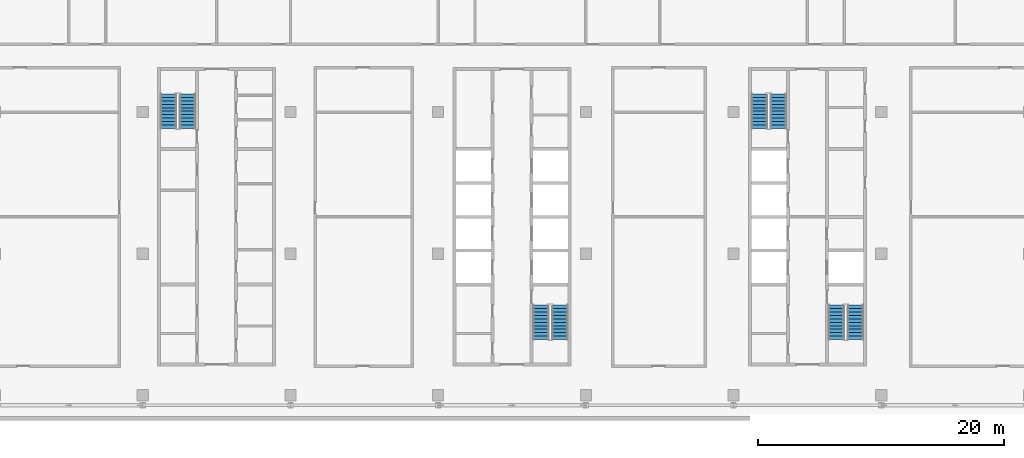
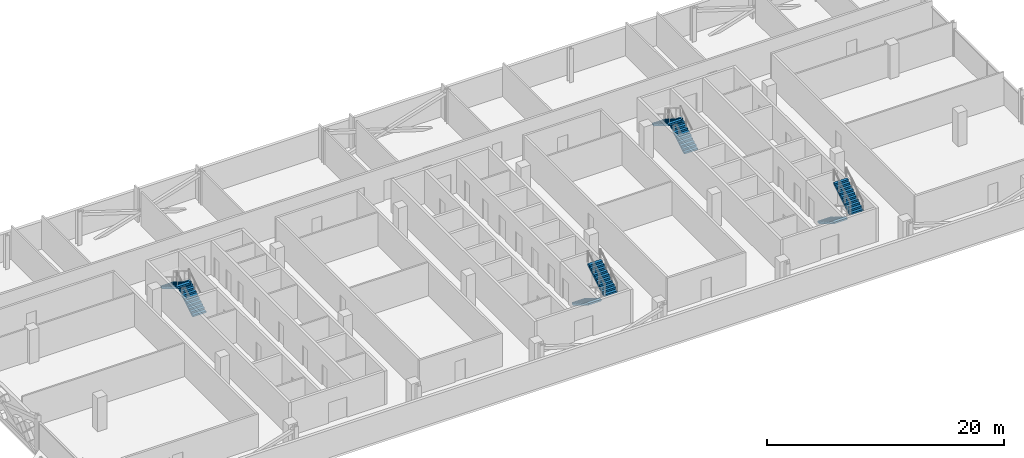
# One storey, part 19 of 28: 8 stair flights, 4 elements without a shape of their own.
"""IFC4 building model written with IfcOpenShell, lengths in metres."""

from ifc_helpers import new_model, si_unit, direction, frame, origin, place, context, subcontext, project, spatial, polyline, outline, extrude, material, type_object, element, aggregate, save


model = new_model("IFC4")

# Units and contexts
model_context = context("Model", 3, precision=1e-05, world=origin(), true_north=direction((0.0, 1.0)))
body_context = subcontext(model_context, "Body", "Model", "MODEL_VIEW")
ifc_project = project(units=[si_unit("LENGTHUNIT", "METRE"), si_unit("AREAUNIT", "SQUARE_METRE"), si_unit("VOLUMEUNIT", "CUBIC_METRE"), si_unit("PLANEANGLEUNIT", "RADIAN"), si_unit("MASSUNIT", "GRAM", prefix="KILO")], contexts=[model_context])

# Site, building, storey
site_placement = place(None, origin())
site = spatial("IfcSite", under=ifc_project, at=site_placement, CompositionType="ELEMENT")
building_placement = place(site_placement, origin())
building = spatial("IfcBuilding", under=site, at=building_placement, Name="Mahtab Terrace Research Tower", CompositionType="ELEMENT")
storey_placement = place(building_placement, frame((0.0, 0.0, 270.89990234375)))
storey = spatial("IfcBuildingStorey", under=building, at=storey_placement, Name="L66", CompositionType="ELEMENT", Elevation=270.89990234375)

# Stair, stair flights
ifc_material_1 = material(Name="Exit stair half-turn")
stair_type = type_object("IfcStairType", Name="Exit stair half-turn", PredefinedType="HALF_TURN_STAIR", material=ifc_material_1)
stair_1_placement = place(storey_placement, origin())
stair_1 = element("IfcStair", 1, at=stair_1_placement, inside=storey, type_object=stair_type, Name="L66 Protected exit stair ST1", PredefinedType="HALF_TURN_STAIR")
ifc_material_2 = material(Name="Concrete C40/50", Category="concrete")
stair_flight_type = type_object("IfcStairFlightType", Name="Exit stair flight 1300", PredefinedType="STRAIGHT", material=ifc_material_2)
stair_flight_1_placement = place(storey_placement, frame((-26.35009765625, 10.175048828125, 0.0), z_axis=(0.0, 0.0, 1.0), x_axis=(0.0, 1.0, 0.0)))
stair_flight_1 = element("IfcStairFlight", 2, at=stair_flight_1_placement, type_object=stair_flight_type, Name="ST1 flight 1", NumberOfRisers=11, NumberOfTreads=10, PredefinedType="STRAIGHT", RiserHeight=0.172727273, TreadLength=0.28, context=body_context, shape_type="SweptSolid", body=[
    extrude(outline(polyline([(0.0, 0.0), (0.0, 0.172607421875), (0.280029296875, 0.172607421875), (0.280029296875, 0.345458984375), (0.56005859375, 0.345458984375), (0.56005859375, 0.51806640625), (0.840087890625, 0.51806640625), (0.840087890625, 0.69091796875), (1.1201171875, 0.69091796875), (1.1201171875, 0.863525390625), (1.39990234375, 0.863525390625), (1.39990234375, 1.036376953125), (1.679931640625, 1.036376953125), (1.679931640625, 1.208984375), (1.9599609375, 1.208984375), (1.9599609375, 1.3818359375), (2.239990234375, 1.3818359375), (2.239990234375, 1.554443359375), (2.52001953125, 1.554443359375), (2.52001953125, 1.727294921875), (2.800048828125, 1.727294921875), (2.800048828125, 1.89990234375), (2.800048828125, 1.551025390625), (0.285400390625, 0.0), (0.0, 0.0)])), frame((0.0, 0.64990234375, 0.0), z_axis=(0.0, -1.0, 0.0), x_axis=(1.0, 0.0, 0.0)), (0.0, 0.0, 1.0), 1.300048828125),
])
stair_flight_2_placement = place(storey_placement, frame((-27.89990234375, 12.97509765625, 1.900146484375), z_axis=(0.0, 0.0, 1.0), x_axis=(0.0, -1.0, 0.0)))
stair_flight_2 = element("IfcStairFlight", 3, at=stair_flight_2_placement, type_object=stair_flight_type, Name="ST1 flight 2", NumberOfRisers=11, NumberOfTreads=10, PredefinedType="STRAIGHT", RiserHeight=0.172727273, TreadLength=0.28, context=body_context, shape_type="SweptSolid", body=[
    extrude(outline(polyline([(0.0, 0.0), (0.0, 0.172607421875), (0.280029296875, 0.172607421875), (0.280029296875, 0.345458984375), (0.56005859375, 0.345458984375), (0.56005859375, 0.51806640625), (0.840087890625, 0.51806640625), (0.840087890625, 0.69091796875), (1.1201171875, 0.69091796875), (1.1201171875, 0.863525390625), (1.39990234375, 0.863525390625), (1.39990234375, 1.036376953125), (1.679931640625, 1.036376953125), (1.679931640625, 1.208984375), (1.9599609375, 1.208984375), (1.9599609375, 1.3818359375), (2.239990234375, 1.3818359375), (2.239990234375, 1.554443359375), (2.52001953125, 1.554443359375), (2.52001953125, 1.727294921875), (2.800048828125, 1.727294921875), (2.800048828125, 1.89990234375), (2.800048828125, 1.551025390625), (0.285400390625, 0.0), (0.0, 0.0)])), frame((0.0, 0.64990234375, 0.0), z_axis=(0.0, -1.0, 0.0), x_axis=(1.0, 0.0, 0.0)), (0.0, 0.0, 1.0), 1.300048828125),
])
aggregate(stair_1, [stair_flight_1, stair_flight_2])

stair_2_placement = place(storey_placement, origin())
stair_2 = element("IfcStair", 4, at=stair_2_placement, inside=storey, type_object=stair_type, Name="L66 Protected exit stair ST2", PredefinedType="HALF_TURN_STAIR")
stair_flight_3_placement = place(storey_placement, frame((2.35009765625, -4.175048828125, 0.0), z_axis=(0.0, 0.0, 1.0), x_axis=(0.0, -1.0, 0.0)))
stair_flight_3 = element("IfcStairFlight", 5, at=stair_flight_3_placement, type_object=stair_flight_type, Name="ST2 flight 1", NumberOfRisers=11, NumberOfTreads=10, PredefinedType="STRAIGHT", RiserHeight=0.172727273, TreadLength=0.28, context=body_context, shape_type="SweptSolid", body=[
    extrude(outline(polyline([(0.0, 0.0), (0.0, 0.172607421875), (0.280029296875, 0.172607421875), (0.280029296875, 0.345458984375), (0.56005859375, 0.345458984375), (0.56005859375, 0.51806640625), (0.840087890625, 0.51806640625), (0.840087890625, 0.69091796875), (1.1201171875, 0.69091796875), (1.1201171875, 0.863525390625), (1.39990234375, 0.863525390625), (1.39990234375, 1.036376953125), (1.679931640625, 1.036376953125), (1.679931640625, 1.208984375), (1.9599609375, 1.208984375), (1.9599609375, 1.3818359375), (2.239990234375, 1.3818359375), (2.239990234375, 1.554443359375), (2.52001953125, 1.554443359375), (2.52001953125, 1.727294921875), (2.800048828125, 1.727294921875), (2.800048828125, 1.89990234375), (2.800048828125, 1.551025390625), (0.285400390625, 0.0), (0.0, 0.0)])), frame((0.0, 0.64990234375, 0.0), z_axis=(0.0, -1.0, 0.0), x_axis=(1.0, 0.0, 0.0)), (0.0, 0.0, 1.0), 1.300048828125),
])
stair_flight_4_placement = place(storey_placement, frame((3.89990234375, -6.97509765625, 1.900146484375), z_axis=(0.0, 0.0, 1.0), x_axis=(0.0, 1.0, 0.0)))
stair_flight_4 = element("IfcStairFlight", 6, at=stair_flight_4_placement, type_object=stair_flight_type, Name="ST2 flight 2", NumberOfRisers=11, NumberOfTreads=10, PredefinedType="STRAIGHT", RiserHeight=0.172727273, TreadLength=0.28, context=body_context, shape_type="SweptSolid", body=[
    extrude(outline(polyline([(0.0, 0.0), (0.0, 0.172607421875), (0.280029296875, 0.172607421875), (0.280029296875, 0.345458984375), (0.56005859375, 0.345458984375), (0.56005859375, 0.51806640625), (0.840087890625, 0.51806640625), (0.840087890625, 0.69091796875), (1.1201171875, 0.69091796875), (1.1201171875, 0.863525390625), (1.39990234375, 0.863525390625), (1.39990234375, 1.036376953125), (1.679931640625, 1.036376953125), (1.679931640625, 1.208984375), (1.9599609375, 1.208984375), (1.9599609375, 1.3818359375), (2.239990234375, 1.3818359375), (2.239990234375, 1.554443359375), (2.52001953125, 1.554443359375), (2.52001953125, 1.727294921875), (2.800048828125, 1.727294921875), (2.800048828125, 1.89990234375), (2.800048828125, 1.551025390625), (0.285400390625, 0.0), (0.0, 0.0)])), frame((0.0, 0.64990234375, 0.0), z_axis=(0.0, -1.0, 0.0), x_axis=(1.0, 0.0, 0.0)), (0.0, 0.0, 1.0), 1.300048828125),
])
aggregate(stair_2, [stair_flight_3, stair_flight_4])

stair_3_placement = place(storey_placement, origin())
stair_3 = element("IfcStair", 7, at=stair_3_placement, inside=storey, type_object=stair_type, Name="L66 Protected exit stair ST3", PredefinedType="HALF_TURN_STAIR")
stair_flight_5_placement = place(storey_placement, frame((21.64990234375, 10.175048828125, 0.0), z_axis=(0.0, 0.0, 1.0), x_axis=(0.0, 1.0, 0.0)))
stair_flight_5 = element("IfcStairFlight", 8, at=stair_flight_5_placement, type_object=stair_flight_type, Name="ST3 flight 1", NumberOfRisers=11, NumberOfTreads=10, PredefinedType="STRAIGHT", RiserHeight=0.172727273, TreadLength=0.28, context=body_context, shape_type="SweptSolid", body=[
    extrude(outline(polyline([(0.0, 0.0), (0.0, 0.172607421875), (0.280029296875, 0.172607421875), (0.280029296875, 0.345458984375), (0.56005859375, 0.345458984375), (0.56005859375, 0.51806640625), (0.840087890625, 0.51806640625), (0.840087890625, 0.69091796875), (1.1201171875, 0.69091796875), (1.1201171875, 0.863525390625), (1.39990234375, 0.863525390625), (1.39990234375, 1.036376953125), (1.679931640625, 1.036376953125), (1.679931640625, 1.208984375), (1.9599609375, 1.208984375), (1.9599609375, 1.3818359375), (2.239990234375, 1.3818359375), (2.239990234375, 1.554443359375), (2.52001953125, 1.554443359375), (2.52001953125, 1.727294921875), (2.800048828125, 1.727294921875), (2.800048828125, 1.89990234375), (2.800048828125, 1.551025390625), (0.285400390625, 0.0), (0.0, 0.0)])), frame((0.0, 0.64990234375, 0.0), z_axis=(0.0, -1.0, 0.0), x_axis=(1.0, 0.0, 0.0)), (0.0, 0.0, 1.0), 1.300048828125),
])
stair_flight_6_placement = place(storey_placement, frame((20.10009765625, 12.97509765625, 1.900146484375), z_axis=(0.0, 0.0, 1.0), x_axis=(0.0, -1.0, 0.0)))
stair_flight_6 = element("IfcStairFlight", 9, at=stair_flight_6_placement, type_object=stair_flight_type, Name="ST3 flight 2", NumberOfRisers=11, NumberOfTreads=10, PredefinedType="STRAIGHT", RiserHeight=0.172727273, TreadLength=0.28, context=body_context, shape_type="SweptSolid", body=[
    extrude(outline(polyline([(0.0, 0.0), (0.0, 0.172607421875), (0.280029296875, 0.172607421875), (0.280029296875, 0.345458984375), (0.56005859375, 0.345458984375), (0.56005859375, 0.51806640625), (0.840087890625, 0.51806640625), (0.840087890625, 0.69091796875), (1.1201171875, 0.69091796875), (1.1201171875, 0.863525390625), (1.39990234375, 0.863525390625), (1.39990234375, 1.036376953125), (1.679931640625, 1.036376953125), (1.679931640625, 1.208984375), (1.9599609375, 1.208984375), (1.9599609375, 1.3818359375), (2.239990234375, 1.3818359375), (2.239990234375, 1.554443359375), (2.52001953125, 1.554443359375), (2.52001953125, 1.727294921875), (2.800048828125, 1.727294921875), (2.800048828125, 1.89990234375), (2.800048828125, 1.551025390625), (0.285400390625, 0.0), (0.0, 0.0)])), frame((0.0, 0.64990234375, 0.0), z_axis=(0.0, -1.0, 0.0), x_axis=(1.0, 0.0, 0.0)), (0.0, 0.0, 1.0), 1.300048828125),
])
aggregate(stair_3, [stair_flight_5, stair_flight_6])

stair_4_placement = place(storey_placement, origin())
stair_4 = element("IfcStair", 10, at=stair_4_placement, inside=storey, type_object=stair_type, Name="L66 Protected exit stair ST4", PredefinedType="HALF_TURN_STAIR")
stair_flight_7_placement = place(storey_placement, frame((26.35009765625, -4.175048828125, 0.0), z_axis=(0.0, 0.0, 1.0), x_axis=(0.0, -1.0, 0.0)))
stair_flight_7 = element("IfcStairFlight", 11, at=stair_flight_7_placement, type_object=stair_flight_type, Name="ST4 flight 1", NumberOfRisers=11, NumberOfTreads=10, PredefinedType="STRAIGHT", RiserHeight=0.172727273, TreadLength=0.28, context=body_context, shape_type="SweptSolid", body=[
    extrude(outline(polyline([(0.0, 0.0), (0.0, 0.172607421875), (0.280029296875, 0.172607421875), (0.280029296875, 0.345458984375), (0.56005859375, 0.345458984375), (0.56005859375, 0.51806640625), (0.840087890625, 0.51806640625), (0.840087890625, 0.69091796875), (1.1201171875, 0.69091796875), (1.1201171875, 0.863525390625), (1.39990234375, 0.863525390625), (1.39990234375, 1.036376953125), (1.679931640625, 1.036376953125), (1.679931640625, 1.208984375), (1.9599609375, 1.208984375), (1.9599609375, 1.3818359375), (2.239990234375, 1.3818359375), (2.239990234375, 1.554443359375), (2.52001953125, 1.554443359375), (2.52001953125, 1.727294921875), (2.800048828125, 1.727294921875), (2.800048828125, 1.89990234375), (2.800048828125, 1.551025390625), (0.285400390625, 0.0), (0.0, 0.0)])), frame((0.0, 0.64990234375, 0.0), z_axis=(0.0, -1.0, 0.0), x_axis=(1.0, 0.0, 0.0)), (0.0, 0.0, 1.0), 1.300048828125),
])
stair_flight_8_placement = place(storey_placement, frame((27.89990234375, -6.97509765625, 1.900146484375), z_axis=(0.0, 0.0, 1.0), x_axis=(0.0, 1.0, 0.0)))
stair_flight_8 = element("IfcStairFlight", 12, at=stair_flight_8_placement, type_object=stair_flight_type, Name="ST4 flight 2", NumberOfRisers=11, NumberOfTreads=10, PredefinedType="STRAIGHT", RiserHeight=0.172727273, TreadLength=0.28, context=body_context, shape_type="SweptSolid", body=[
    extrude(outline(polyline([(0.0, 0.0), (0.0, 0.172607421875), (0.280029296875, 0.172607421875), (0.280029296875, 0.345458984375), (0.56005859375, 0.345458984375), (0.56005859375, 0.51806640625), (0.840087890625, 0.51806640625), (0.840087890625, 0.69091796875), (1.1201171875, 0.69091796875), (1.1201171875, 0.863525390625), (1.39990234375, 0.863525390625), (1.39990234375, 1.036376953125), (1.679931640625, 1.036376953125), (1.679931640625, 1.208984375), (1.9599609375, 1.208984375), (1.9599609375, 1.3818359375), (2.239990234375, 1.3818359375), (2.239990234375, 1.554443359375), (2.52001953125, 1.554443359375), (2.52001953125, 1.727294921875), (2.800048828125, 1.727294921875), (2.800048828125, 1.89990234375), (2.800048828125, 1.551025390625), (0.285400390625, 0.0), (0.0, 0.0)])), frame((0.0, 0.64990234375, 0.0), z_axis=(0.0, -1.0, 0.0), x_axis=(1.0, 0.0, 0.0)), (0.0, 0.0, 1.0), 1.300048828125),
])
aggregate(stair_4, [stair_flight_7, stair_flight_8])

save(model, "model.ifc")
